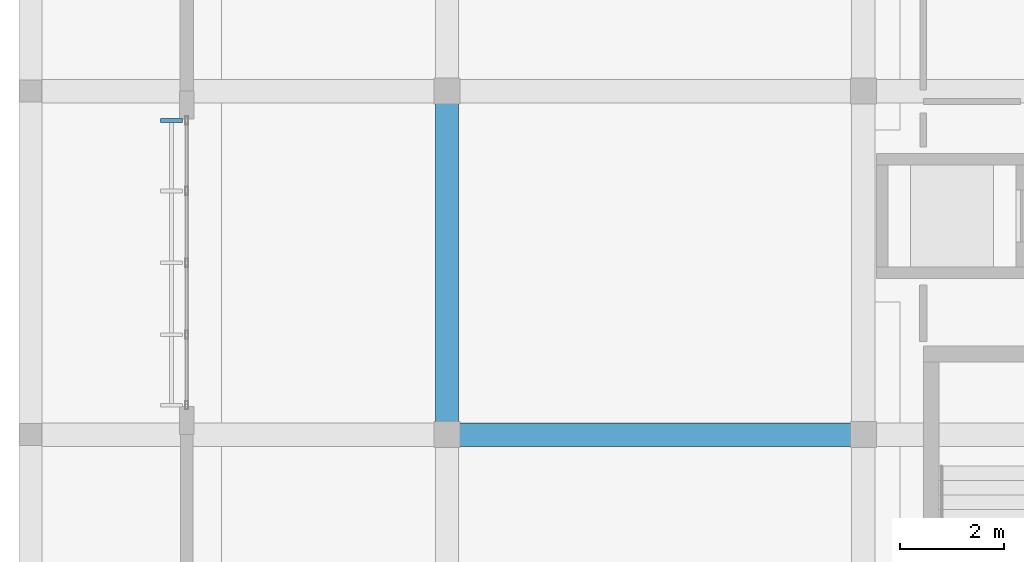
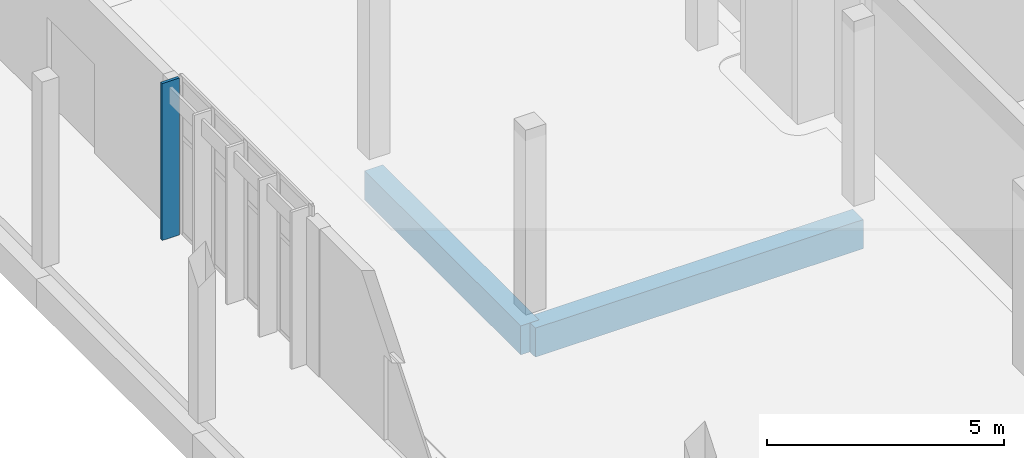
# One storey, part 28 of 151: 2 beams, 1 member, 1 element without a shape of its own.
"""IFC4 building model written with IfcOpenShell, lengths in metres."""

from ifc_helpers import new_model, si_unit, direction, frame, origin, origin_2d, place, context, subcontext, project, spatial, rectangle, extrude, material, material_profile, profile_set, type_object, element, aggregate, save


model = new_model("IFC4")

# Units and contexts
model_context = context("Model", 3, precision=1e-05, world=origin(), true_north=direction((0.0, 1.0)))
body_context = subcontext(model_context, "Body", "Model", "MODEL_VIEW")
ifc_project = project(units=[si_unit("LENGTHUNIT", "METRE"), si_unit("AREAUNIT", "SQUARE_METRE"), si_unit("VOLUMEUNIT", "CUBIC_METRE"), si_unit("PLANEANGLEUNIT", "RADIAN"), si_unit("MASSUNIT", "GRAM", prefix="KILO")], contexts=[model_context])

# Site, building, storey
site_placement = place(None, origin())
site = spatial("IfcSite", under=ifc_project, at=site_placement, CompositionType="ELEMENT")
building_placement = place(site_placement, origin())
building = spatial("IfcBuilding", under=site, at=building_placement, Name="Chiffa Square Polytechnic", CompositionType="ELEMENT")
storey_placement = place(building_placement, origin())
storey = spatial("IfcBuildingStorey", under=building, at=storey_placement, Name="L00", CompositionType="ELEMENT", Elevation=0.0)

# Curtain wall, member
ifc_material_1 = material(Name="Aluminium EN AW-6060 T66 and glulam shading", Category="wood")
curtain_wall_type = type_object("IfcCurtainWallType", Name="CW-VERT-360X380", PredefinedType="USERDEFINED", material=ifc_material_1)
curtain_wall_placement = place(storey_placement, origin())
curtain_wall = element("IfcCurtainWall", 1, at=curtain_wall_placement, inside=storey, type_object=curtain_wall_type, Name="Curtain wall CW-V6-L00-253", ObjectType="CURTAIN WALL", PredefinedType="USERDEFINED")
ifc_material_2 = material(Name="Glulam GL28h", Category="wood")
ifc_material_profile_1 = material_profile(ifc_material_2, rectangle(XDim=0.070068359375, YDim=0.419921875, at=origin_2d()), Name="GL28h 70x420")
ifc_profile_set_1 = profile_set([ifc_material_profile_1], Name="Glulam GL28h")
member_type = type_object("IfcMemberType", Name="CWM-GL-70X420", PredefinedType="MULLION", material=ifc_profile_set_1)
member_placement = place(storey_placement, frame((2.7080078125, 57.034912109375, 0.010009765625), z_axis=(0.0, 0.0, 1.0), x_axis=(0.0, -1.0, 0.0)))
member = element("IfcMember", 2, at=member_placement, type_object=member_type, Name="Exterior glulam solar fin CW-V6-L00-253-FN00", PredefinedType="MULLION", context=body_context, shape_type="SweptSolid", body=[
    extrude(rectangle(XDim=0.070068359375, YDim=0.419921875, at=origin_2d()), origin(), (0.0, 0.0, 1.0), 4.044921875),
])
aggregate(curtain_wall, [member])

# Beams
ifc_material_3 = material(Name="Concrete C35/45", Category="concrete")
ifc_material_profile_2 = material_profile(ifc_material_3, rectangle(XDim=0.449951171875, YDim=0.75, at=origin_2d()), Name="RC 450x750")
ifc_profile_set_2 = profile_set([ifc_material_profile_2], Name="Concrete C35/45")
beam_type = type_object("IfcBeamType", Name="GB-RC-450X750", PredefinedType="BEAM", material=ifc_profile_set_2)
beam_1_placement = place(storey_placement, frame((8.0, 51.0, -0.77490234375), z_axis=(1.0, 0.0, 0.0), x_axis=(0.0, 1.0, 0.0)))
element("IfcBeam", 3, at=beam_1_placement, inside=storey, type_object=beam_type, Name="Ground tie beam GB-V6-X-158", PredefinedType="BEAM", context=body_context, shape_type="SweptSolid", body=[
    extrude(rectangle(XDim=0.449951171875, YDim=0.75, at=origin_2d()), origin(), (0.0, 0.0, 1.0), 8.0),
])
beam_2_placement = place(storey_placement, frame((8.0, 51.0, -0.77490234375), z_axis=(0.0, 1.0, 0.0), x_axis=(-1.0, 0.0, 0.0)))
element("IfcBeam", 4, at=beam_2_placement, inside=storey, type_object=beam_type, Name="Ground tie beam GB-V6-Y-205", PredefinedType="BEAM", context=body_context, shape_type="SweptSolid", body=[
    extrude(rectangle(XDim=0.449951171875, YDim=0.75, at=origin_2d()), origin(), (0.0, 0.0, 1.0), 6.60009765625),
])

save(model, "model.ifc")
